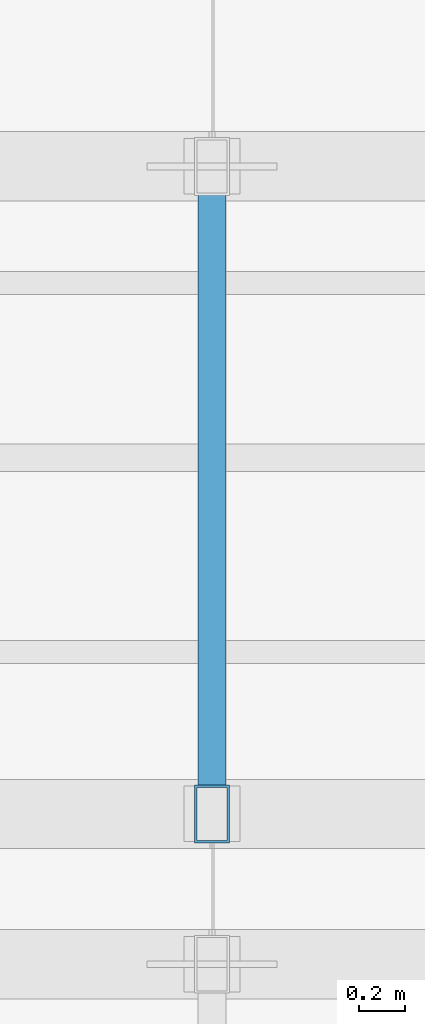
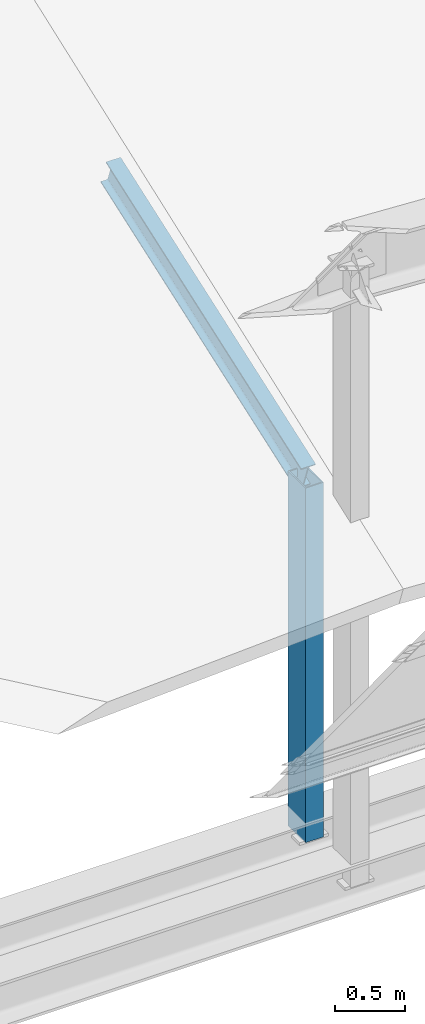
# One storey, part 20 of 141: 2 members.
"""IFC4 building model written with IfcOpenShell, lengths in metres."""

from ifc_helpers import new_model, si_unit, direction, frame, origin, origin_2d, place, context, subcontext, project, spatial, hollow_rectangle, i_section, extrude, material, material_profile, profile_set, type_object, element, save


model = new_model("IFC4")

# Units and contexts
model_context = context("Model", 3, precision=1e-05, world=origin(), true_north=direction((0.0, 1.0)))
body_context = subcontext(model_context, "Body", "Model", "MODEL_VIEW")
ifc_project = project(units=[si_unit("LENGTHUNIT", "METRE"), si_unit("AREAUNIT", "SQUARE_METRE"), si_unit("VOLUMEUNIT", "CUBIC_METRE"), si_unit("PLANEANGLEUNIT", "RADIAN"), si_unit("MASSUNIT", "GRAM", prefix="KILO")], contexts=[model_context])

# Site, building, storey
site_placement = place(None, origin())
site = spatial("IfcSite", under=ifc_project, at=site_placement, CompositionType="ELEMENT")
building_placement = place(site_placement, origin())
building = spatial("IfcBuilding", under=site, at=building_placement, Name="Sundkrona Museum", CompositionType="ELEMENT")
storey_placement = place(building_placement, frame((0.0, 0.0, 34.0)))
storey = spatial("IfcBuildingStorey", under=building, at=storey_placement, Name="RF", CompositionType="ELEMENT", Elevation=34.0)

# Members
ifc_material = material(Name="Steel S355J2", Category="steel")
ifc_material_profile_1 = material_profile(ifc_material, i_section(OverallWidth=0.1201171875, OverallDepth=0.239990234375, WebThickness=0.006103515625, FlangeThickness=0.009765625, FilletRadius=0.014892578125, at=origin_2d()), Name="IPE 240")
ifc_profile_set_1 = profile_set([ifc_material_profile_1], Name="Steel S355J2")
member_type_1 = type_object("IfcMemberType", Name="PR-IPE240", PredefinedType="PURLIN", material=ifc_profile_set_1)
member_1_placement = place(storey_placement, frame((144.0, 4.5, 2.855224609375), z_axis=(0.0, 0.942754878846, 0.333486489099), x_axis=(-1.0, 0.0, 0.0)))
element("IfcMember", 1, at=member_1_placement, inside=storey, type_object=member_type_1, Name="RFS-1 Sawtooth Bay 2 Transverse Rafter 4", PredefinedType="PURLIN", context=body_context, shape_type="SweptSolid", body=[
    extrude(i_section(OverallWidth=0.1201171875, OverallDepth=0.239990234375, WebThickness=0.006103515625, FlangeThickness=0.009765625, FilletRadius=0.014892578125, at=origin_2d()), origin(), (0.0, 0.0, 1.0), 2.969970703125),
])
ifc_material_profile_2 = material_profile(ifc_material, hollow_rectangle(XDim=0.14990234375, YDim=0.25, WallThickness=0.010009765625, at=origin_2d()), Name="RHS 250x150x10.0")
ifc_profile_set_2 = profile_set([ifc_material_profile_2], Name="Steel S355J2")
member_type_2 = type_object("IfcMemberType", Name="ST-RHS250", PredefinedType="STRUT", material=ifc_profile_set_2)
member_2_placement = place(storey_placement, frame((144.0, 4.5, -0.25), z_axis=(0.0, 0.0, 1.0), x_axis=(1.0, 0.0, 0.0)))
element("IfcMember", 2, at=member_2_placement, inside=storey, type_object=member_type_2, Name="RFS-1 Sawtooth Bay 2 Valley Post 4", PredefinedType="STRUT", context=body_context, shape_type="SweptSolid", body=[
    extrude(hollow_rectangle(XDim=0.14990234375, YDim=0.25, WallThickness=0.010009765625, at=origin_2d()), origin(), (0.0, 0.0, 1.0), 3.105224609375),
])

save(model, "model.ifc")
